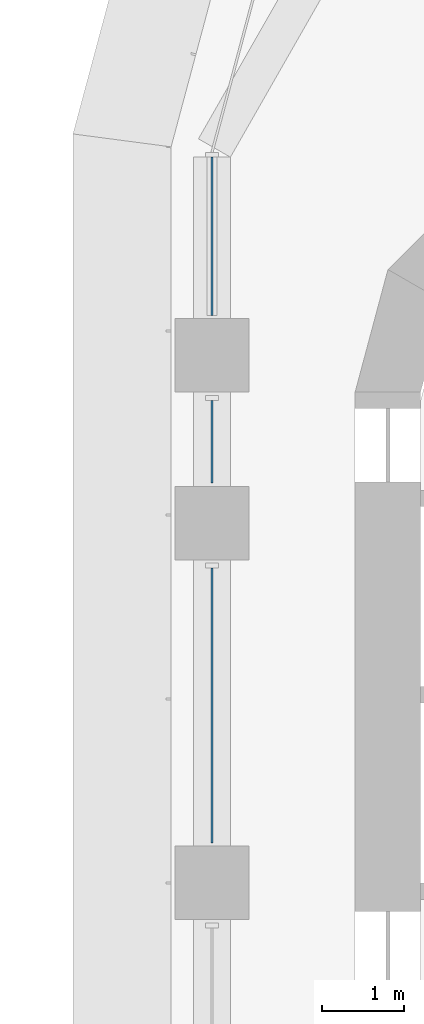
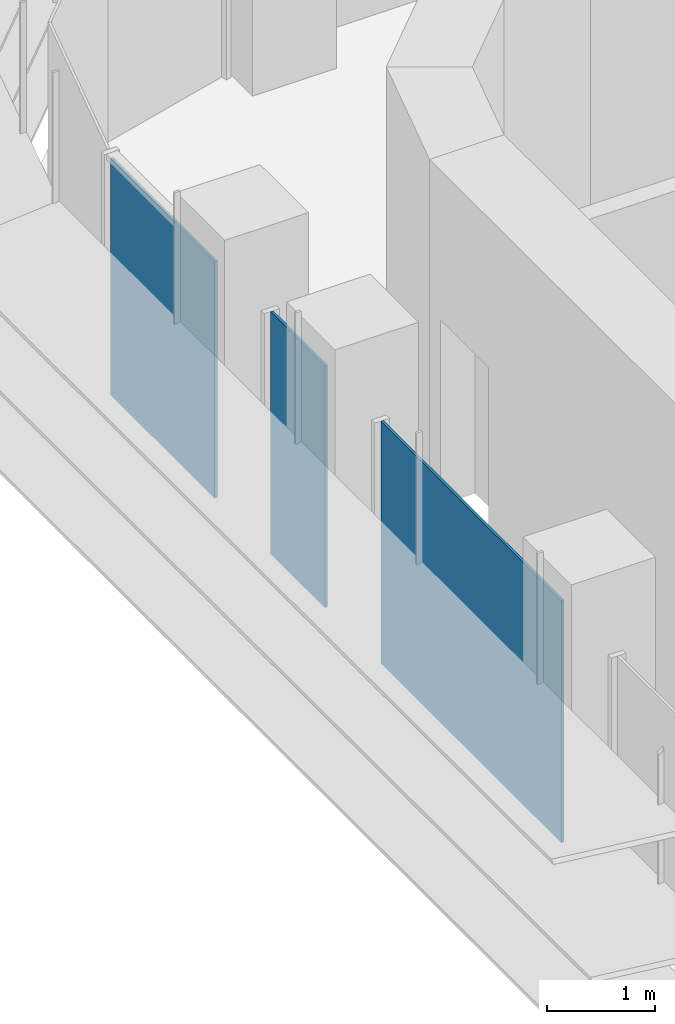
# One storey, part 14 of 23: 3 plates, 1 element without a shape of its own.
"""IFC4 building model written with IfcOpenShell, lengths in metres."""

from ifc_helpers import new_model, si_unit, direction, frame, origin, place, context, subcontext, project, spatial, polyline, outline, extrude, source, transform, mapped, material, layer, layer_set, type_object, element, aggregate, save


model = new_model("IFC4")

# Units and contexts
model_context = context("Model", 3, precision=1e-05, world=origin(), true_north=direction((0.0, 1.0)))
body_context = subcontext(model_context, "Body", "Model", "MODEL_VIEW")
ifc_project = project(units=[si_unit("LENGTHUNIT", "METRE"), si_unit("AREAUNIT", "SQUARE_METRE"), si_unit("VOLUMEUNIT", "CUBIC_METRE"), si_unit("PLANEANGLEUNIT", "RADIAN"), si_unit("MASSUNIT", "GRAM", prefix="KILO")], contexts=[model_context])

# Site, building, storey
site_placement = place(None, origin())
site = spatial("IfcSite", under=ifc_project, at=site_placement, CompositionType="ELEMENT")
building_placement = place(site_placement, origin())
building = spatial("IfcBuilding", under=site, at=building_placement, Name="Zarbagh Exchange Tower", CompositionType="ELEMENT")
storey_placement = place(building_placement, frame((0.0, 0.0, 90.39990234375)))
storey = spatial("IfcBuildingStorey", under=building, at=storey_placement, Name="L20", CompositionType="ELEMENT", Elevation=90.39990234375)

# Curtain wall, plates
ifc_material_1 = material(Name="Anodised aluminium frame and glazing", Category="aluminium")
curtain_wall_type = type_object("IfcCurtainWallType", Name="CWA Ribbon glazing, lower zones", PredefinedType="NOTDEFINED", material=ifc_material_1)
curtain_wall_placement = place(storey_placement, origin())
curtain_wall = element("IfcCurtainWall", 1, at=curtain_wall_placement, inside=storey, type_object=curtain_wall_type, Name="CWA28 curtain wall", PredefinedType="NOTDEFINED")
ifc_material_2 = material(Name="Low-e double glazed unit, 6+12+6 mm")
ifc_layer = layer(ifc_material_2, 0.028076171875)
ifc_layer_set = layer_set([ifc_layer], Name="PAA Glazing panel, Low-e double glazed unit, 6+12+6 mm")
plate_type = type_object("IfcPlateType", Name="PAA Glazing panel, Low-e double glazed unit, 6+12+6 mm", PredefinedType="CURTAIN_PANEL", material=ifc_layer_set)
shared_shape_1 = source(origin(), body_context, "Body", "SweptSolid", [
    extrude(outline(polyline([(0.0, -0.013916015625), (3.360107421875, -0.013916015625), (3.360107421875, 0.013916015625), (0.0, 0.013916015625), (0.0, -0.013916015625)])), origin(), (0.0, 0.0, 1.0), 2.75),
])
placement = place(storey_placement, origin())
plate_1 = element("IfcPlate", 2, at=placement, type_object=plate_type, Name="CWA28 glazing panel 3.1", PredefinedType="CURTAIN_PANEL", context=body_context, shape_type="MappedRepresentation", body=[
    mapped(shared_shape_1, transform((-6.25, 24.099853515625, 0.0), x_axis=(0.0, -1.0, 0.0), y_axis=(1.0, 0.0, 0.0), z_axis=(0.0, 0.0, 1.0))),
])
shared_shape_2 = source(origin(), body_context, "Body", "SweptSolid", [
    extrude(outline(polyline([(0.0, -0.013916015625), (1.010009765625, -0.013916015625), (1.010009765625, 0.013916015625), (0.0, 0.013916015625), (0.0, -0.013916015625)])), origin(), (0.0, 0.0, 1.0), 2.75),
])
plate_2 = element("IfcPlate", 3, at=placement, type_object=plate_type, Name="CWA28 glazing panel 2.1", PredefinedType="CURTAIN_PANEL", context=body_context, shape_type="MappedRepresentation", body=[
    mapped(shared_shape_2, transform((-6.25, 26.14990234375, 0.0), x_axis=(0.0, -1.0, 0.0), y_axis=(1.0, 0.0, 0.0), z_axis=(0.0, 0.0, 1.0))),
])
shared_shape_3 = source(origin(), body_context, "Body", "SweptSolid", [
    extrude(outline(polyline([(0.0, -0.013916015625), (1.93408203125, -0.013916015625), (1.93408203125, 0.013916015625), (0.0, 0.013916015625), (0.0, -0.013916015625)])), origin(), (0.0, 0.0, 1.0), 2.68994140625),
])
plate_3 = element("IfcPlate", 4, at=placement, type_object=plate_type, Name="CWA28 glazing panel 1.1", PredefinedType="CURTAIN_PANEL", context=body_context, shape_type="MappedRepresentation", body=[
    mapped(shared_shape_3, transform((-6.25, 29.124267578125, 0.0), x_axis=(0.0, -1.0, 0.0), y_axis=(1.0, 0.0, 0.0), z_axis=(0.0, 0.0, 1.0))),
])
aggregate(curtain_wall, [plate_3, plate_2, plate_1])

save(model, "model.ifc")
